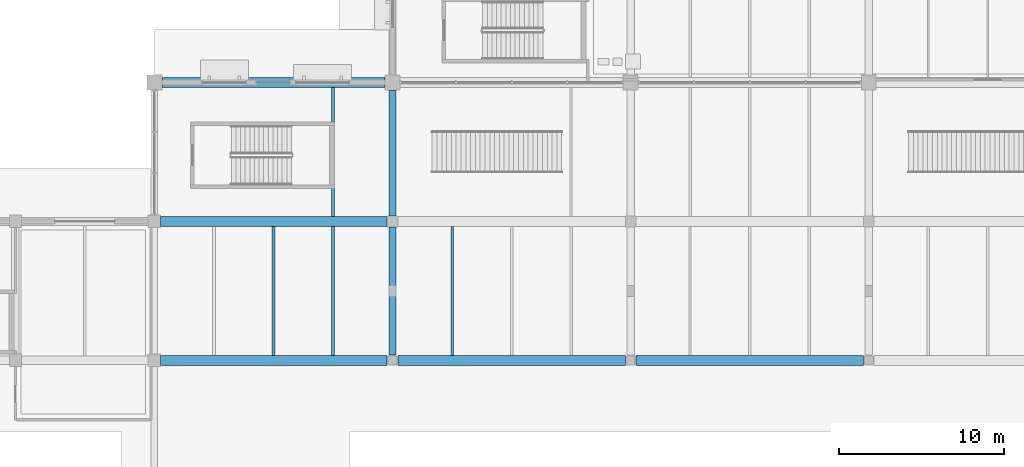
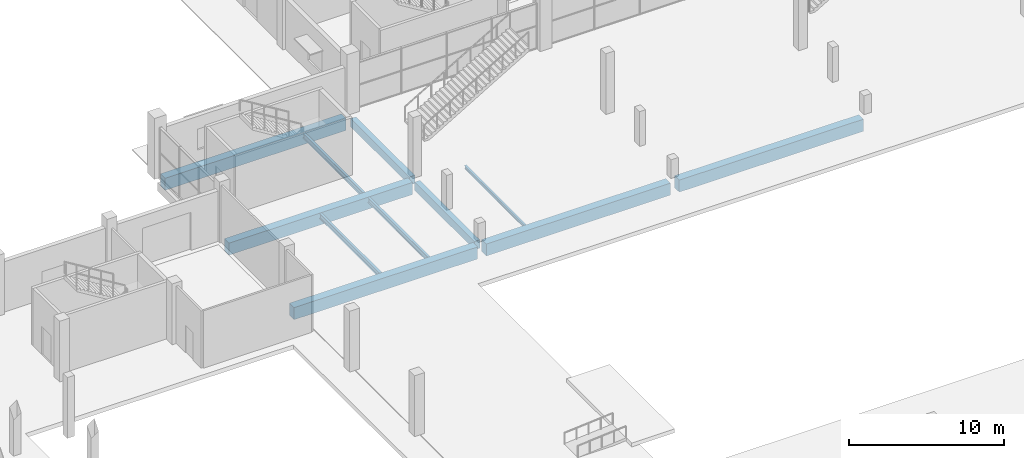
# One storey, part 39 of 130: 11 beams.
"""IFC4 building model written with IfcOpenShell, lengths in metres."""

from ifc_helpers import new_model, si_unit, direction, frame, origin, origin_2d, place, context, subcontext, project, spatial, rectangle, i_section, extrude, material, material_profile, profile_set, type_object, element, save


model = new_model("IFC4")

# Units and contexts
model_context = context("Model", 3, precision=1e-05, world=origin(), true_north=direction((0.0, 1.0)))
body_context = subcontext(model_context, "Body", "Model", "MODEL_VIEW")
ifc_project = project(units=[si_unit("LENGTHUNIT", "METRE"), si_unit("AREAUNIT", "SQUARE_METRE"), si_unit("VOLUMEUNIT", "CUBIC_METRE"), si_unit("PLANEANGLEUNIT", "RADIAN"), si_unit("MASSUNIT", "GRAM", prefix="KILO"), si_unit("THERMODYNAMICTEMPERATUREUNIT", "KELVIN")], contexts=[model_context])

# Site, building, storey
site_placement = place(None, origin())
site = spatial("IfcSite", under=ifc_project, at=site_placement, CompositionType="ELEMENT")
building_placement = place(site_placement, origin())
building = spatial("IfcBuilding", under=site, at=building_placement, Name="Nduvali Passage Aquatics Centre", CompositionType="ELEMENT")
storey_placement = place(building_placement, origin())
storey = spatial("IfcBuildingStorey", under=building, at=storey_placement, Name="L00", CompositionType="ELEMENT", Elevation=0.0)

# Beams
ifc_material_1 = material(Name="Concrete C40/50", Category="concrete")
ifc_material_profile_1 = material_profile(ifc_material_1, rectangle(XDim=0.60009765625, YDim=0.949951171875, at=origin_2d()), Name="RC 600x950")
ifc_profile_set_1 = profile_set([ifc_material_profile_1], Name="Concrete C40/50")
beam_type_1 = type_object("IfcBeamType", Name="STR-BM-RC6095", PredefinedType="BEAM", material=ifc_profile_set_1)
beam_1_placement = place(storey_placement, frame((25.574951171875, 75.60009765625, -0.794921875), z_axis=(1.0, 0.0, 0.0), x_axis=(0.0, 1.0, 0.0)))
element("IfcBeam", 1, at=beam_1_placement, inside=storey, type_object=beam_type_1, Name="L00 Primary X-Girder B1-0065", PredefinedType="BEAM", context=body_context, shape_type="SweptSolid", body=[
    extrude(rectangle(XDim=0.60009765625, YDim=0.949951171875, at=origin_2d()), origin(), (0.0, 0.0, 1.0), 13.699951171875),
])
for number, where, z_axis, x_axis, name in (
    (2, (39.925048828125, 75.60009765625, -0.794921875), (1.0, 0.0, 0.0), (0.0, 1.0, 0.0), "L00 Primary X-Girder B1-0066"),
    (3, (54.324951171875, 75.60009765625, -0.794921875), (1.0, 0.0, 0.0), (0.0, 1.0, 0.0), "L00 Primary X-Girder B1-0067"),
):
    element("IfcBeam", number, at=place(storey_placement, frame(where, z_axis=z_axis, x_axis=x_axis)), inside=storey, type_object=beam_type_1, Name=name, PredefinedType="BEAM", context=body_context, shape_type="SweptSolid", body=[
        extrude(rectangle(XDim=0.60009765625, YDim=0.949951171875, at=origin_2d()), origin(), (0.0, 0.0, 1.0), 13.75),
    ])
beam_2_placement = place(storey_placement, frame((25.574951171875, 84.0, -0.794921875), z_axis=(1.0, 0.0, 0.0), x_axis=(0.0, 1.0, 0.0)))
element("IfcBeam", 4, at=beam_2_placement, inside=storey, type_object=beam_type_1, Name="L00 Primary X-Girder B1-0075", PredefinedType="BEAM", context=body_context, shape_type="SweptSolid", body=[
    extrude(rectangle(XDim=0.60009765625, YDim=0.949951171875, at=origin_2d()), origin(), (0.0, 0.0, 1.0), 13.699951171875),
])
ifc_material_profile_2 = material_profile(ifc_material_1, rectangle(XDim=0.60009765625, YDim=0.949951171875, at=origin_2d()), Name="RC 600x950")
ifc_profile_set_2 = profile_set([ifc_material_profile_2], Name="Concrete C40/50")
beam_type_2 = type_object("IfcBeamType", Name="STR-BM-RC6095-EXT", PredefinedType="BEAM", material=ifc_profile_set_2)
beam_3_placement = place(storey_placement, frame((25.64990234375, 92.39990234375, -0.794921875), z_axis=(1.0, 0.0, 0.0), x_axis=(0.0, 1.0, 0.0)))
element("IfcBeam", 5, at=beam_3_placement, inside=storey, type_object=beam_type_2, Name="L00 Primary X-Girder B1E-0085", PredefinedType="BEAM", context=body_context, shape_type="SweptSolid", body=[
    extrude(rectangle(XDim=0.60009765625, YDim=0.949951171875, at=origin_2d()), origin(), (0.0, 0.0, 1.0), 13.5),
])
ifc_material_2 = material(Name="Steel S355", Category="steel")
ifc_material_profile_3 = material_profile(ifc_material_2, i_section(OverallWidth=0.179931640625, OverallDepth=0.39990234375, WebThickness=0.008544921875, FlangeThickness=0.013427734375, FilletRadius=0.02099609375, at=origin_2d()), Name="IPE 400")
ifc_profile_set_3 = profile_set([ifc_material_profile_3], Name="Steel S355")
beam_type_3 = type_object("IfcBeamType", Name="STR-JST-IPE400", PredefinedType="JOIST", material=ifc_profile_set_3)
for number, where, z_axis, x_axis, name in (
    (6, (32.39990234375, 75.89990234375, -0.52392578125), (0.0, 1.0, 0.0), (-1.0, 0.0, 0.0), "L00 Secondary Joist J5-0362"),
    (7, (36.0, 75.89990234375, -0.52392578125), (0.0, 1.0, 0.0), (-1.0, 0.0, 0.0), "L00 Secondary Joist J5-0363"),
):
    element("IfcBeam", number, at=place(storey_placement, frame(where, z_axis=z_axis, x_axis=x_axis)), inside=storey, type_object=beam_type_3, Name=name, PredefinedType="JOIST", context=body_context, shape_type="SweptSolid", body=[
        extrude(i_section(OverallWidth=0.179931640625, OverallDepth=0.39990234375, WebThickness=0.008544921875, FlangeThickness=0.013427734375, FilletRadius=0.02099609375, at=origin_2d()), origin(), (0.0, 0.0, 1.0), 7.800048828125),
    ])
ifc_material_profile_4 = material_profile(ifc_material_2, i_section(OverallWidth=0.146484375, OverallDepth=0.256103515625, WebThickness=0.00634765625, FlangeThickness=0.010986328125, FilletRadius=0.007568359375, at=origin_2d()), Name="UKB 254x146x37")
ifc_profile_set_4 = profile_set([ifc_material_profile_4], Name="Steel S355")
beam_type_4 = type_object("IfcBeamType", Name="STR-JST-UKB254", PredefinedType="JOIST", material=ifc_profile_set_4)
beam_4_placement = place(storey_placement, frame((43.199951171875, 75.89990234375, -0.451904296875), z_axis=(0.0, 1.0, 0.0), x_axis=(-1.0, 0.0, 0.0)))
element("IfcBeam", 8, at=beam_4_placement, inside=storey, type_object=beam_type_4, Name="L00 Secondary Joist J4-0364", PredefinedType="JOIST", context=body_context, shape_type="SweptSolid", body=[
    extrude(i_section(OverallWidth=0.146484375, OverallDepth=0.256103515625, WebThickness=0.00634765625, FlangeThickness=0.010986328125, FilletRadius=0.007568359375, at=origin_2d()), origin(), (0.0, 0.0, 1.0), 7.800048828125),
])
ifc_material_profile_5 = material_profile(ifc_material_2, i_section(OverallWidth=0.1787109375, OverallDepth=0.409423828125, WebThickness=0.0087890625, FlangeThickness=0.014404296875, FilletRadius=0.01025390625, at=origin_2d()), Name="UKB 406x178x67")
ifc_profile_set_5 = profile_set([ifc_material_profile_5], Name="Steel S355")
beam_type_5 = type_object("IfcBeamType", Name="STR-JST-UKB406", PredefinedType="JOIST", material=ifc_profile_set_5)
beam_5_placement = place(storey_placement, frame((36.0, 84.300048828125, -0.52880859375), z_axis=(0.0, 1.0, 0.0), x_axis=(-1.0, 0.0, 0.0)))
element("IfcBeam", 9, at=beam_5_placement, inside=storey, type_object=beam_type_5, Name="L00 Secondary Joist J1-0379", PredefinedType="JOIST", context=body_context, shape_type="SweptSolid", body=[
    extrude(i_section(OverallWidth=0.1787109375, OverallDepth=0.409423828125, WebThickness=0.0087890625, FlangeThickness=0.014404296875, FilletRadius=0.01025390625, at=origin_2d()), origin(), (0.0, 0.0, 1.0), 7.800048828125),
])
ifc_material_profile_6 = material_profile(ifc_material_1, rectangle(XDim=0.39990234375, YDim=0.64990234375, at=origin_2d()), Name="RC 400x650")
ifc_profile_set_6 = profile_set([ifc_material_profile_6], Name="Concrete C40/50")
beam_type_6 = type_object("IfcBeamType", Name="STR-SPN-RC4065-EXT", PredefinedType="SPANDREL", material=ifc_profile_set_6)
beam_6_placement = place(storey_placement, frame((39.60009765625, 75.925048828125, -0.64501953125), z_axis=(0.0, 1.0, 0.0), x_axis=(-1.0, 0.0, 0.0)))
element("IfcBeam", 10, at=beam_6_placement, inside=storey, type_object=beam_type_6, Name="L00 Primary Y-Girder SP1E-0136", PredefinedType="SPANDREL", context=body_context, shape_type="SweptSolid", body=[
    extrude(rectangle(XDim=0.39990234375, YDim=0.64990234375, at=origin_2d()), origin(), (0.0, 0.0, 1.0), 7.75),
])
beam_7_placement = place(storey_placement, frame((39.60009765625, 84.324951171875, -0.64501953125), z_axis=(0.0, 1.0, 0.0), x_axis=(-1.0, 0.0, 0.0)))
element("IfcBeam", 11, at=beam_7_placement, inside=storey, type_object=beam_type_6, Name="L00 Primary Y-Girder SP1E-0137", PredefinedType="SPANDREL", context=body_context, shape_type="SweptSolid", body=[
    extrude(rectangle(XDim=0.39990234375, YDim=0.64990234375, at=origin_2d()), origin(), (0.0, 0.0, 1.0), 7.625),
])

save(model, "model.ifc")
